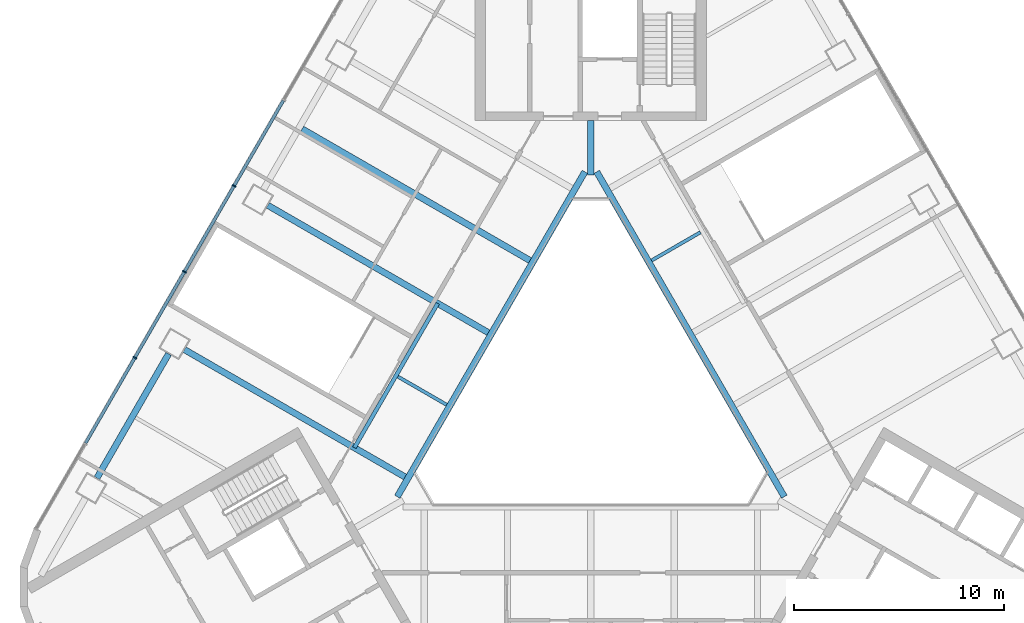
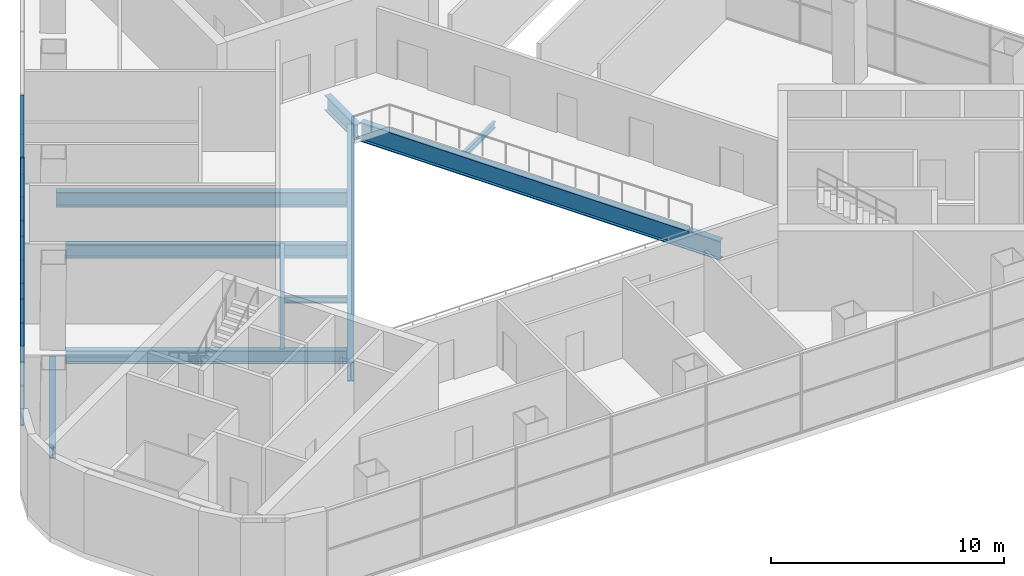
# One storey, part 3 of 12: 15 members, 10 beams, 1 element without a shape of its own.
"""IFC4 building model written with IfcOpenShell, lengths in metres."""

from ifc_helpers import new_model, si_unit, direction, frame, origin, origin_2d, place, context, subcontext, project, spatial, rectangle, i_section, extrude, material, layer, layer_set, material_profile, profile_set, type_object, element, aggregate, save


model = new_model("IFC4")

# Units and contexts
model_context = context("Model", 3, precision=1e-05, world=origin(), true_north=direction((0.0, 1.0)))
body_context = subcontext(model_context, "Body", "Model", "MODEL_VIEW")
ifc_project = project(units=[si_unit("LENGTHUNIT", "METRE"), si_unit("AREAUNIT", "SQUARE_METRE"), si_unit("VOLUMEUNIT", "CUBIC_METRE"), si_unit("PLANEANGLEUNIT", "RADIAN"), si_unit("MASSUNIT", "GRAM", prefix="KILO")], contexts=[model_context])

# Site, building, storey
site_placement = place(None, origin())
site = spatial("IfcSite", under=ifc_project, at=site_placement, CompositionType="ELEMENT")
building_placement = place(site_placement, origin())
building = spatial("IfcBuilding", under=site, at=building_placement, Name="Apuvela Tower Hotel", CompositionType="ELEMENT")
storey_placement = place(building_placement, frame((0.0, 0.0, 33.0)))
storey = spatial("IfcBuildingStorey", under=building, at=storey_placement, Name="L05", CompositionType="ELEMENT", Elevation=33.0)

# Curtain wall, members
ifc_material_1 = material(Name="Aluminium 6063-T6, dark bronze anodised", Category="aluminium")
ifc_layer = layer(ifc_material_1, 0.199951171875)
ifc_layer_set = layer_set([ifc_layer], Name="ENV-CW-P")
curtain_wall_type = type_object("IfcCurtainWallType", Name="ENV-CW-P", PredefinedType="NOTDEFINED", material=ifc_layer_set)
curtain_wall_placement = place(storey_placement, origin())
curtain_wall = element("IfcCurtainWall", 1, at=curtain_wall_placement, inside=storey, type_object=curtain_wall_type, Name="Curtain wall CW-P NW L05", PredefinedType="NOTDEFINED")
ifc_material_profile_1 = material_profile(ifc_material_1, rectangle(XDim=0.199951171875, YDim=0.06494140625, at=origin_2d()), Name="AL 65x200")
ifc_profile_set_1 = profile_set([ifc_material_profile_1], Name="Aluminium 6063-T6, dark bronze anodised")
member_type_1 = type_object("IfcMemberType", Name="ENV-MULLION-65x200", PredefinedType="MULLION", material=ifc_profile_set_1)
member_1_placement = place(storey_placement, frame((-16.953369140625, 9.7880859375, 0.0), z_axis=(0.0, 0.0, 1.0), x_axis=(0.866025548062, -0.499999750104, 0.0)))
member_1 = element("IfcMember", 2, at=member_1_placement, type_object=member_type_1, Name="CW-P mullion 5", PredefinedType="MULLION", context=body_context, shape_type="SweptSolid", body=[
    extrude(rectangle(XDim=0.199951171875, YDim=0.06494140625, at=origin_2d()), origin(), (0.0, 0.0, 1.0), 4.199951171875),
])
member_2_placement = place(storey_placement, frame((-19.310791015625, 5.704833984375, 0.0), z_axis=(0.0, 0.0, 1.0), x_axis=(0.866025548062, -0.499999750104, 0.0)))
member_2 = element("IfcMember", 3, at=member_2_placement, type_object=member_type_1, Name="CW-P mullion 6", PredefinedType="MULLION", context=body_context, shape_type="SweptSolid", body=[
    extrude(rectangle(XDim=0.199951171875, YDim=0.06494140625, at=origin_2d()), origin(), (0.0, 0.0, 1.0), 4.199951171875),
])
member_3_placement = place(storey_placement, frame((-21.66845703125, 1.621337890625, 0.0), z_axis=(0.0, 0.0, 1.0), x_axis=(0.866025548062, -0.499999750104, 0.0)))
member_3 = element("IfcMember", 4, at=member_3_placement, type_object=member_type_1, Name="CW-P mullion 7", PredefinedType="MULLION", context=body_context, shape_type="SweptSolid", body=[
    extrude(rectangle(XDim=0.199951171875, YDim=0.06494140625, at=origin_2d()), origin(), (0.0, 0.0, 1.0), 4.199951171875),
])
ifc_material_profile_2 = material_profile(ifc_material_1, rectangle(XDim=0.14990234375, YDim=0.06494140625, at=origin_2d()), Name="AL 65x150 transom")
ifc_profile_set_2 = profile_set([ifc_material_profile_2], Name="Aluminium 6063-T6, dark bronze anodised")
member_type_2 = type_object("IfcMemberType", Name="ENV-TRANSOM-65x150", PredefinedType="USERDEFINED", material=ifc_profile_set_2)
member_4_placement = place(storey_placement, frame((-14.612060546875, 13.84326171875, 0.032470703125), z_axis=(-0.500023913295, -0.866011596997, 0.0), x_axis=(0.866011596997, -0.500023913295, 0.0)))
member_4 = element("IfcMember", 5, at=member_4_placement, type_object=member_type_2, Name="CW-P transom 4.1", ObjectType="TRANSOM", PredefinedType="USERDEFINED", context=body_context, shape_type="SweptSolid", body=[
    extrude(rectangle(XDim=0.14990234375, YDim=0.06494140625, at=origin_2d()), origin(), (0.0, 0.0, 1.0), 4.650146484375),
])
member_5_placement = place(storey_placement, frame((-14.612060546875, 13.84326171875, 2.10009765625), z_axis=(-0.500023913295, -0.866011596997, 0.0), x_axis=(0.866011596997, -0.500023913295, 0.0)))
member_5 = element("IfcMember", 6, at=member_5_placement, type_object=member_type_2, Name="CW-P transom 4.2", ObjectType="TRANSOM", PredefinedType="USERDEFINED", context=body_context, shape_type="SweptSolid", body=[
    extrude(rectangle(XDim=0.14990234375, YDim=0.06494140625, at=origin_2d()), origin(), (0.0, 0.0, 1.0), 4.650146484375),
])
member_6_placement = place(storey_placement, frame((-14.612060546875, 13.84326171875, 4.16748046875), z_axis=(-0.500023913295, -0.866011596997, 0.0), x_axis=(0.866011596997, -0.500023913295, 0.0)))
member_6 = element("IfcMember", 7, at=member_6_placement, type_object=member_type_2, Name="CW-P transom 4.3", ObjectType="TRANSOM", PredefinedType="USERDEFINED", context=body_context, shape_type="SweptSolid", body=[
    extrude(rectangle(XDim=0.14990234375, YDim=0.06494140625, at=origin_2d()), origin(), (0.0, 0.0, 1.0), 4.650146484375),
])
member_7_placement = place(storey_placement, frame((-16.9697265625, 9.760009765625, 0.032470703125), z_axis=(-0.499984536904, -0.866034331223, 0.0), x_axis=(0.866034331223, -0.499984536904, 0.0)))
member_7 = element("IfcMember", 8, at=member_7_placement, type_object=member_type_2, Name="CW-P transom 5.1", ObjectType="TRANSOM", PredefinedType="USERDEFINED", context=body_context, shape_type="SweptSolid", body=[
    extrude(rectangle(XDim=0.14990234375, YDim=0.06494140625, at=origin_2d()), origin(), (0.0, 0.0, 1.0), 4.650146484375),
])
member_8_placement = place(storey_placement, frame((-16.9697265625, 9.760009765625, 2.10009765625), z_axis=(-0.499984536904, -0.866034331223, 0.0), x_axis=(0.866034331223, -0.499984536904, 0.0)))
member_8 = element("IfcMember", 9, at=member_8_placement, type_object=member_type_2, Name="CW-P transom 5.2", ObjectType="TRANSOM", PredefinedType="USERDEFINED", context=body_context, shape_type="SweptSolid", body=[
    extrude(rectangle(XDim=0.14990234375, YDim=0.06494140625, at=origin_2d()), origin(), (0.0, 0.0, 1.0), 4.650146484375),
])
member_9_placement = place(storey_placement, frame((-16.9697265625, 9.760009765625, 4.16748046875), z_axis=(-0.499984536904, -0.866034331223, 0.0), x_axis=(0.866034331223, -0.499984536904, 0.0)))
member_9 = element("IfcMember", 10, at=member_9_placement, type_object=member_type_2, Name="CW-P transom 5.3", ObjectType="TRANSOM", PredefinedType="USERDEFINED", context=body_context, shape_type="SweptSolid", body=[
    extrude(rectangle(XDim=0.14990234375, YDim=0.06494140625, at=origin_2d()), origin(), (0.0, 0.0, 1.0), 4.650146484375),
])
member_10_placement = place(storey_placement, frame((-19.3271484375, 5.676513671875, 0.032470703125), z_axis=(-0.500007271693, -0.86602120543, 0.0), x_axis=(0.86602120543, -0.500007271693, 0.0)))
member_10 = element("IfcMember", 11, at=member_10_placement, type_object=member_type_2, Name="CW-P transom 6.1", ObjectType="TRANSOM", PredefinedType="USERDEFINED", context=body_context, shape_type="SweptSolid", body=[
    extrude(rectangle(XDim=0.14990234375, YDim=0.06494140625, at=origin_2d()), origin(), (0.0, 0.0, 1.0), 4.64990234375),
])
member_11_placement = place(storey_placement, frame((-19.3271484375, 5.676513671875, 2.10009765625), z_axis=(-0.500007271693, -0.86602120543, 0.0), x_axis=(0.86602120543, -0.500007271693, 0.0)))
member_11 = element("IfcMember", 12, at=member_11_placement, type_object=member_type_2, Name="CW-P transom 6.2", ObjectType="TRANSOM", PredefinedType="USERDEFINED", context=body_context, shape_type="SweptSolid", body=[
    extrude(rectangle(XDim=0.14990234375, YDim=0.06494140625, at=origin_2d()), origin(), (0.0, 0.0, 1.0), 4.64990234375),
])
member_12_placement = place(storey_placement, frame((-19.3271484375, 5.676513671875, 4.16748046875), z_axis=(-0.500007271693, -0.86602120543, 0.0), x_axis=(0.86602120543, -0.500007271693, 0.0)))
member_12 = element("IfcMember", 13, at=member_12_placement, type_object=member_type_2, Name="CW-P transom 6.3", ObjectType="TRANSOM", PredefinedType="USERDEFINED", context=body_context, shape_type="SweptSolid", body=[
    extrude(rectangle(XDim=0.14990234375, YDim=0.06494140625, at=origin_2d()), origin(), (0.0, 0.0, 1.0), 4.64990234375),
])
member_13_placement = place(storey_placement, frame((-21.6845703125, 1.59326171875, 0.032470703125), z_axis=(-0.500023913295, -0.866011596997, 0.0), x_axis=(0.866011596997, -0.500023913295, 0.0)))
member_13 = element("IfcMember", 14, at=member_13_placement, type_object=member_type_2, Name="CW-P transom 7.1", ObjectType="TRANSOM", PredefinedType="USERDEFINED", context=body_context, shape_type="SweptSolid", body=[
    extrude(rectangle(XDim=0.14990234375, YDim=0.06494140625, at=origin_2d()), origin(), (0.0, 0.0, 1.0), 4.650146484375),
])
member_14_placement = place(storey_placement, frame((-21.6845703125, 1.59326171875, 2.10009765625), z_axis=(-0.500023913295, -0.866011596997, 0.0), x_axis=(0.866011596997, -0.500023913295, 0.0)))
member_14 = element("IfcMember", 15, at=member_14_placement, type_object=member_type_2, Name="CW-P transom 7.2", ObjectType="TRANSOM", PredefinedType="USERDEFINED", context=body_context, shape_type="SweptSolid", body=[
    extrude(rectangle(XDim=0.14990234375, YDim=0.06494140625, at=origin_2d()), origin(), (0.0, 0.0, 1.0), 4.650146484375),
])
member_15_placement = place(storey_placement, frame((-21.6845703125, 1.59326171875, 4.16748046875), z_axis=(-0.500023913295, -0.866011596997, 0.0), x_axis=(0.866011596997, -0.500023913295, 0.0)))
member_15 = element("IfcMember", 16, at=member_15_placement, type_object=member_type_2, Name="CW-P transom 7.3", ObjectType="TRANSOM", PredefinedType="USERDEFINED", context=body_context, shape_type="SweptSolid", body=[
    extrude(rectangle(XDim=0.14990234375, YDim=0.06494140625, at=origin_2d()), origin(), (0.0, 0.0, 1.0), 4.650146484375),
])
aggregate(curtain_wall, [member_1, member_2, member_3, member_4, member_5, member_6, member_7, member_8, member_9, member_10, member_11, member_12, member_13, member_14, member_15])

# Beams
ifc_material_2 = material(Name="Steel S355", Category="steel")
ifc_material_profile_3 = material_profile(ifc_material_2, i_section(OverallWidth=0.300048828125, OverallDepth=0.68994140625, WebThickness=0.014404296875, FlangeThickness=0.027099609375, at=origin_2d()), Name="HE 700 A")
ifc_profile_set_3 = profile_set([ifc_material_profile_3], Name="Steel S355")
beam_type_1 = type_object("IfcBeamType", Name="STR-B floor beam HE 700 A", PredefinedType="BEAM", material=ifc_profile_set_3)
for number, where, z_axis, x_axis, name in (
    (17, (-15.351318359375, 8.863037109375, -0.64501953125), (0.866026374629, -0.499998318443, 0.0), (0.499998318443, 0.866026374629, 0.0), "Floor beam B6 NW5"),
    (18, (-19.310546875, 2.00537109375, -0.64501953125), (0.866026374629, -0.499998318443, 0.0), (0.499998318443, 0.866026374629, 0.0), "Floor beam B6 NW7"),
):
    element("IfcBeam", number, at=place(storey_placement, frame(where, z_axis=z_axis, x_axis=x_axis)), inside=storey, type_object=beam_type_1, Name=name, PredefinedType="BEAM", context=body_context, shape_type="SweptSolid", body=[
        extrude(i_section(OverallWidth=0.300048828125, OverallDepth=0.68994140625, WebThickness=0.014404296875, FlangeThickness=0.027099609375, at=origin_2d()), origin(), (0.0, 0.0, 1.0), 12.10400390625),
    ])
ifc_material_profile_4 = material_profile(ifc_material_2, i_section(OverallWidth=0.300048828125, OverallDepth=0.7900390625, WebThickness=0.014892578125, FlangeThickness=0.028076171875, at=origin_2d()), Name="HE 800 A")
ifc_profile_set_4 = profile_set([ifc_material_profile_4], Name="Steel S355")
beam_type_2 = type_object("IfcBeamType", Name="STR-B floor beam HE 800 A", PredefinedType="BEAM", material=ifc_profile_set_4)
beam_1_placement = place(storey_placement, frame((-13.718017578125, 12.491943359375, -0.695068359375), z_axis=(0.866020087484, -0.50000920799, 0.0), x_axis=(0.50000920799, 0.866020087484, 0.0)))
element("IfcBeam", 19, at=beam_1_placement, inside=storey, type_object=beam_type_2, Name="Floor beam B5 NW4", PredefinedType="BEAM", context=body_context, shape_type="SweptSolid", body=[
    extrude(i_section(OverallWidth=0.300048828125, OverallDepth=0.7900390625, WebThickness=0.014892578125, FlangeThickness=0.028076171875, at=origin_2d()), origin(), (0.0, 0.0, 1.0), 12.504150390625),
])
ifc_material_profile_5 = material_profile(ifc_material_2, i_section(OverallWidth=0.159912109375, OverallDepth=0.330078125, WebThickness=0.007568359375, FlangeThickness=0.011474609375, at=origin_2d()), Name="IPE 330")
ifc_profile_set_5 = profile_set([ifc_material_profile_5], Name="Steel S355")
beam_type_3 = type_object("IfcBeamType", Name="STR-B floor beam IPE 330", PredefinedType="BEAM", material=ifc_profile_set_5)
beam_2_placement = place(storey_placement, frame((5.20849609375, 7.578857421875, -0.465087890625), z_axis=(-0.866018596809, -0.500011789842, 0.0), x_axis=(0.500011789842, -0.866018596809, 0.0)))
element("IfcBeam", 20, at=beam_2_placement, inside=storey, type_object=beam_type_3, Name="Floor beam B1 NE6", PredefinedType="BEAM", context=body_context, shape_type="SweptSolid", body=[
    extrude(i_section(OverallWidth=0.159912109375, OverallDepth=0.330078125, WebThickness=0.007568359375, FlangeThickness=0.011474609375, at=origin_2d()), origin(), (0.0, 0.0, 1.0), 2.67822265625),
])
beam_3_placement = place(storey_placement, frame((-9.16748046875, 0.72119140625, -0.465087890625), z_axis=(0.865995803072, -0.500051266433, 0.0), x_axis=(0.500051266433, 0.865995803072, 0.0)))
element("IfcBeam", 21, at=beam_3_placement, inside=storey, type_object=beam_type_3, Name="Floor beam B1 NW6", PredefinedType="BEAM", context=body_context, shape_type="SweptSolid", body=[
    extrude(i_section(OverallWidth=0.159912109375, OverallDepth=0.330078125, WebThickness=0.007568359375, FlangeThickness=0.011474609375, at=origin_2d()), origin(), (0.0, 0.0, 1.0), 2.677978515625),
])
ifc_material_profile_6 = material_profile(ifc_material_2, i_section(OverallWidth=0.302001953125, OverallDepth=1.008056640625, WebThickness=0.02099609375, FlangeThickness=0.0400390625, at=origin_2d()), Name="HE 1000 M")
ifc_profile_set_6 = profile_set([ifc_material_profile_6], Name="Steel S355")
beam_type_4 = type_object("IfcBeamType", Name="STR-G atrium ring girder HE 1000 M", PredefinedType="BEAM", material=ifc_profile_set_6)
for number, where, z_axis, x_axis, name in (
    (22, (-0.28076171875, 10.455810546875, -0.803955078125), (-0.500000611842, -0.866025050537, 0.0), (0.866025050537, -0.500000611842, 0.0), "Atrium ring girder G1 N-SW"),
    (23, (9.1953125, -4.984619140625, -0.803955078125), (-0.500000611842, 0.866025050537, 0.0), (-0.866025050537, -0.500000611842, 0.0), "Atrium ring girder G1 SE-N"),
):
    element("IfcBeam", number, at=place(storey_placement, frame(where, z_axis=z_axis, x_axis=x_axis)), inside=storey, type_object=beam_type_4, Name=name, PredefinedType="BEAM", context=body_context, shape_type="SweptSolid", body=[
        extrude(i_section(OverallWidth=0.302001953125, OverallDepth=1.008056640625, WebThickness=0.02099609375, FlangeThickness=0.0400390625, at=origin_2d()), origin(), (0.0, 0.0, 1.0), 17.8291015625),
    ])
ifc_material_profile_7 = material_profile(ifc_material_2, i_section(OverallWidth=0.300048828125, OverallDepth=0.800048828125, WebThickness=0.017578125, FlangeThickness=0.032958984375, at=origin_2d()), Name="HE 800 B")
ifc_profile_set_7 = profile_set([ifc_material_profile_7], Name="Steel S355")
beam_type_5 = type_object("IfcBeamType", Name="STR-GT core tie beam HE 800 B", PredefinedType="BEAM", material=ifc_profile_set_7)
beam_4_placement = place(storey_placement, frame((0.0, 12.89990234375, -0.699951171875), z_axis=(0.0, -1.0, 0.0), x_axis=(1.0, 0.0, 0.0)))
element("IfcBeam", 24, at=beam_4_placement, inside=storey, type_object=beam_type_5, Name="Core tie beam GT1 N", PredefinedType="BEAM", context=body_context, shape_type="SweptSolid", body=[
    extrude(i_section(OverallWidth=0.300048828125, OverallDepth=0.800048828125, WebThickness=0.017578125, FlangeThickness=0.032958984375, at=origin_2d()), origin(), (0.0, 0.0, 1.0), 2.599853515625),
])
ifc_material_profile_8 = material_profile(ifc_material_2, i_section(OverallWidth=0.300048828125, OverallDepth=0.60009765625, WebThickness=0.015380859375, FlangeThickness=0.030029296875, at=origin_2d()), Name="HE 600 B")
ifc_profile_set_8 = profile_set([ifc_material_profile_8], Name="Steel S355")
beam_type_6 = type_object("IfcBeamType", Name="STR-SB spandrel beam HE 600 B", PredefinedType="SPANDREL", material=ifc_profile_set_8)
beam_5_placement = place(storey_placement, frame((-20.061767578125, 1.80419921875, -0.60009765625), z_axis=(-0.500001387996, -0.866024602423, 0.0), x_axis=(0.866024602423, -0.500001387996, 0.0)))
element("IfcBeam", 25, at=beam_5_placement, inside=storey, type_object=beam_type_6, Name="Spandrel beam SB1 NW4", PredefinedType="SPANDREL", context=body_context, shape_type="SweptSolid", body=[
    extrude(i_section(OverallWidth=0.300048828125, OverallDepth=0.60009765625, WebThickness=0.015380859375, FlangeThickness=0.030029296875, at=origin_2d()), origin(), (0.0, 0.0, 1.0), 6.81884765625),
])
ifc_material_profile_9 = material_profile(ifc_material_2, i_section(OverallWidth=0.18994140625, OverallDepth=0.449951171875, WebThickness=0.009521484375, FlangeThickness=0.0146484375, at=origin_2d()), Name="IPE 450")
ifc_profile_set_9 = profile_set([ifc_material_profile_9], Name="Steel S355")
beam_type_7 = type_object("IfcBeamType", Name="STR-TB stair trimmer beam IPE 450", PredefinedType="BEAM", material=ifc_profile_set_9)
beam_6_placement = place(storey_placement, frame((-7.274658203125, 4.199951171875, -0.52490234375), z_axis=(-0.499995566924, -0.866027963207, 0.0), x_axis=(0.866027963207, -0.499995566924, 0.0)))
element("IfcBeam", 26, at=beam_6_placement, inside=storey, type_object=beam_type_7, Name="Stair trimmer beam TB3 PS2", PredefinedType="BEAM", context=body_context, shape_type="SweptSolid", body=[
    extrude(i_section(OverallWidth=0.18994140625, OverallDepth=0.449951171875, WebThickness=0.009521484375, FlangeThickness=0.0146484375, at=origin_2d()), origin(), (0.0, 0.0, 1.0), 7.91845703125),
])

save(model, "model.ifc")
